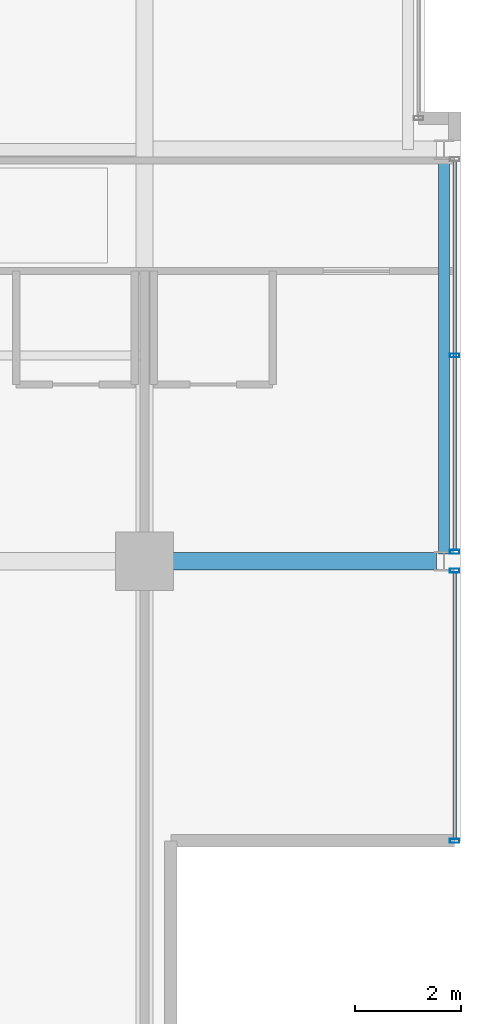
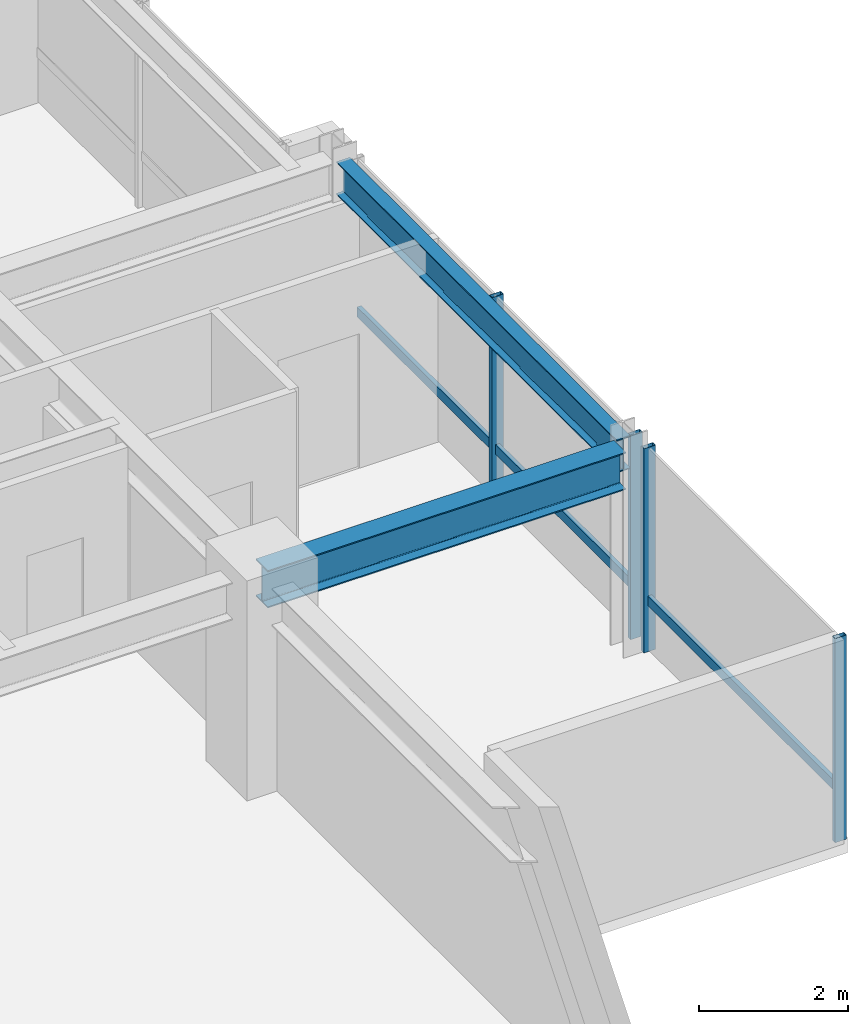
# One storey, part 13 of 32: 6 members, 2 beams, 2 elements without a shape of their own.
"""IFC4 building model written with IfcOpenShell, lengths in metres."""

from ifc_helpers import new_model, si_unit, direction, frame, origin, origin_2d, place, context, subcontext, project, spatial, hollow_rectangle, i_section, extrude, material, layer, layer_set, material_profile, profile_set, type_object, element, aggregate, save


model = new_model("IFC4")

# Units and contexts
model_context = context("Model", 3, precision=1e-05, world=origin(), true_north=direction((0.0, 1.0)))
body_context = subcontext(model_context, "Body", "Model", "MODEL_VIEW")
ifc_project = project(units=[si_unit("LENGTHUNIT", "METRE"), si_unit("AREAUNIT", "SQUARE_METRE"), si_unit("VOLUMEUNIT", "CUBIC_METRE"), si_unit("PLANEANGLEUNIT", "RADIAN"), si_unit("MASSUNIT", "GRAM", prefix="KILO")], contexts=[model_context])

# Site, building, storey
site_placement = place(None, origin())
site = spatial("IfcSite", under=ifc_project, at=site_placement, CompositionType="ELEMENT")
building_placement = place(site_placement, origin())
building = spatial("IfcBuilding", under=site, at=building_placement, Name="Drelvath Grand Hotel", CompositionType="ELEMENT")
storey_placement = place(building_placement, frame((0.0, 0.0, 237.5)))
storey = spatial("IfcBuildingStorey", under=building, at=storey_placement, Name="L62", CompositionType="ELEMENT", Elevation=237.5)

# Curtain wall, member
ifc_material_1 = material(Name="Platinum-Mist Anodised Aluminium Frame", Category="aluminium")
ifc_layer = layer(ifc_material_1, 0.199951171875)
ifc_layer_set = layer_set([ifc_layer], Name="Platinum-Mist Anodised Aluminium Frame")
curtain_wall_type = type_object("IfcCurtainWallType", Name="Stick Curtain Wall CW-05 Platinum Mist High-Rise", PredefinedType="NOTDEFINED", material=ifc_layer_set)
curtain_wall_1_placement = place(storey_placement, origin())
curtain_wall_1 = element("IfcCurtainWall", 1, at=curtain_wall_1_placement, inside=storey, type_object=curtain_wall_type, Name="L62 CW-05 Curtain Wall CW05-L62-ES1", PredefinedType="NOTDEFINED")
ifc_material_profile_1 = material_profile(ifc_material_1, hollow_rectangle(XDim=0.06494140625, YDim=0.159912109375, WallThickness=0.00390625, at=origin_2d()), Name="HSS160X65X4")
ifc_profile_set_1 = profile_set([ifc_material_profile_1], Name="Platinum-Mist Anodised Aluminium Frame")
member_type_1 = type_object("IfcMemberType", Name="Curtain Wall Horizontal Transom CW-05 HSS160X65X4", PredefinedType="USERDEFINED", material=ifc_profile_set_1)
member_1_placement = place(storey_placement, frame((22.080078125, 10.581787109375, 0.8349609375), z_axis=(0.0, -1.0, 0.0), x_axis=(1.0, 0.0, 0.0)))
member_1 = element("IfcMember", 2, at=member_1_placement, type_object=member_type_1, Name="CW05-L62-ES1 Sill Transom", ObjectType="TRANSOM", PredefinedType="USERDEFINED", context=body_context, shape_type="SweptSolid", body=[
    extrude(hollow_rectangle(XDim=0.06494140625, YDim=0.159912109375, WallThickness=0.00390625, at=origin_2d()), origin(), (0.0, 0.0, 1.0), 5.041748046875),
])

curtain_wall_2_placement = place(storey_placement, origin())
curtain_wall_2 = element("IfcCurtainWall", 3, at=curtain_wall_2_placement, inside=storey, type_object=curtain_wall_type, Name="L62 CW-05 Curtain Wall CW05-L62-ES2", PredefinedType="NOTDEFINED")
member_2_placement = place(storey_placement, frame((22.080078125, 18.3818359375, 0.8349609375), z_axis=(0.0, -1.0, 0.0), x_axis=(1.0, 0.0, 0.0)))
member_2 = element("IfcMember", 4, at=member_2_placement, type_object=member_type_1, Name="CW05-L62-ES2 Sill Transom", ObjectType="TRANSOM", PredefinedType="USERDEFINED", context=body_context, shape_type="SweptSolid", body=[
    extrude(hollow_rectangle(XDim=0.06494140625, YDim=0.159912109375, WallThickness=0.00390625, at=origin_2d()), origin(), (0.0, 0.0, 1.0), 7.363525390625),
])

# Member
ifc_material_profile_2 = material_profile(ifc_material_1, hollow_rectangle(XDim=0.074951171875, YDim=0.179931640625, WallThickness=0.0048828125, at=origin_2d()), Name="HSS180X75X5")
ifc_profile_set_2 = profile_set([ifc_material_profile_2], Name="Platinum-Mist Anodised Aluminium Frame")
member_type_2 = type_object("IfcMemberType", Name="Curtain Wall Vertical Mullion CW-05 HSS180X75X5", PredefinedType="MULLION", material=ifc_profile_set_2)
member_3_placement = place(storey_placement, frame((22.080078125, 10.621826171875, 0.0), z_axis=(0.0, 0.0, 1.0), x_axis=(0.0, 1.0, 0.0)))
member_3 = element("IfcMember", 5, at=member_3_placement, type_object=member_type_2, Name="CW05-L62-ES1 Mullion 1", PredefinedType="MULLION", context=body_context, shape_type="SweptSolid", body=[
    extrude(hollow_rectangle(XDim=0.074951171875, YDim=0.179931640625, WallThickness=0.0048828125, at=origin_2d()), origin(), (0.0, 0.0, 1.0), 3.340087890625),
])

member_4_placement = place(storey_placement, frame((22.080078125, 5.5, 0.0), z_axis=(0.0, 0.0, 1.0), x_axis=(0.0, 1.0, 0.0)))
member_4 = element("IfcMember", 6, at=member_4_placement, type_object=member_type_2, Name="CW05-L62-ES1 Mullion 2", PredefinedType="MULLION", context=body_context, shape_type="SweptSolid", body=[
    extrude(hollow_rectangle(XDim=0.074951171875, YDim=0.179931640625, WallThickness=0.0048828125, at=origin_2d()), origin(), (0.0, 0.0, 1.0), 3.340087890625),
])

aggregate(curtain_wall_1, [member_3, member_4, member_1])

member_5_placement = place(storey_placement, frame((22.080078125, 14.699951171875, 0.0), z_axis=(0.0, 0.0, 1.0), x_axis=(0.0, 1.0, 0.0)))
member_5 = element("IfcMember", 7, at=member_5_placement, type_object=member_type_2, Name="CW05-L62-ES2 Mullion 2", PredefinedType="MULLION", context=body_context, shape_type="SweptSolid", body=[
    extrude(hollow_rectangle(XDim=0.074951171875, YDim=0.179931640625, WallThickness=0.0048828125, at=origin_2d()), origin(), (0.0, 0.0, 1.0), 3.340087890625),
])

member_6_placement = place(storey_placement, frame((22.080078125, 10.978271484375, 0.0), z_axis=(0.0, 0.0, 1.0), x_axis=(0.0, 1.0, 0.0)))
member_6 = element("IfcMember", 8, at=member_6_placement, type_object=member_type_2, Name="CW05-L62-ES2 Mullion 3", PredefinedType="MULLION", context=body_context, shape_type="SweptSolid", body=[
    extrude(hollow_rectangle(XDim=0.074951171875, YDim=0.179931640625, WallThickness=0.0048828125, at=origin_2d()), origin(), (0.0, 0.0, 1.0), 3.340087890625),
])

aggregate(curtain_wall_2, [member_5, member_6, member_2])

# Beams
ifc_material_2 = material(Name="Steel ASTM A992 Gr 50", Category="steel")
ifc_material_profile_3 = material_profile(ifc_material_2, i_section(OverallWidth=0.210205078125, OverallDepth=0.53662109375, WebThickness=0.010986328125, FlangeThickness=0.017333984375, FilletRadius=0.01806640625, at=origin_2d()), Name="W21X68")
ifc_profile_set_3 = profile_set([ifc_material_profile_3], Name="Steel ASTM A992 Gr 50")
beam_type_1 = type_object("IfcBeamType", Name="Perimeter Spandrel Beam W21X68", PredefinedType="SPANDREL", material=ifc_profile_set_3)
beam_1_placement = place(storey_placement, frame((21.8798828125, 10.93994140625, 3.07177734375), z_axis=(0.0, 1.0, 0.0), x_axis=(-1.0, 0.0, 0.0)))
element("IfcBeam", 9, at=beam_1_placement, inside=storey, type_object=beam_type_1, Name="L62 Spandrel East S", PredefinedType="SPANDREL", context=body_context, shape_type="SweptSolid", body=[
    extrude(i_section(OverallWidth=0.210205078125, OverallDepth=0.53662109375, WebThickness=0.010986328125, FlangeThickness=0.017333984375, FilletRadius=0.01806640625, at=origin_2d()), origin(), (0.0, 0.0, 1.0), 7.52001953125),
])
ifc_material_profile_4 = material_profile(ifc_material_2, i_section(OverallWidth=0.323974609375, OverallDepth=0.611083984375, WebThickness=0.0126953125, FlangeThickness=0.01904296875, FilletRadius=0.02197265625, at=origin_2d()), Name="W24X104")
ifc_profile_set_4 = profile_set([ifc_material_profile_4], Name="Steel ASTM A992 Gr 50")
beam_type_2 = type_object("IfcBeamType", Name="Primary Floor Girder W24X104", PredefinedType="BEAM", material=ifc_profile_set_4)
beam_2_placement = place(storey_placement, frame((16.199951171875, 10.800048828125, 3.034423828125), z_axis=(1.0, 0.0, 0.0), x_axis=(0.0, 1.0, 0.0)))
element("IfcBeam", 10, at=beam_2_placement, inside=storey, type_object=beam_type_2, Name="L62 East Grid Girder C", PredefinedType="BEAM", context=body_context, shape_type="SweptSolid", body=[
    extrude(i_section(OverallWidth=0.323974609375, OverallDepth=0.611083984375, WebThickness=0.0126953125, FlangeThickness=0.01904296875, FilletRadius=0.02197265625, at=origin_2d()), origin(), (0.0, 0.0, 1.0), 5.5400390625),
])

save(model, "model.ifc")
